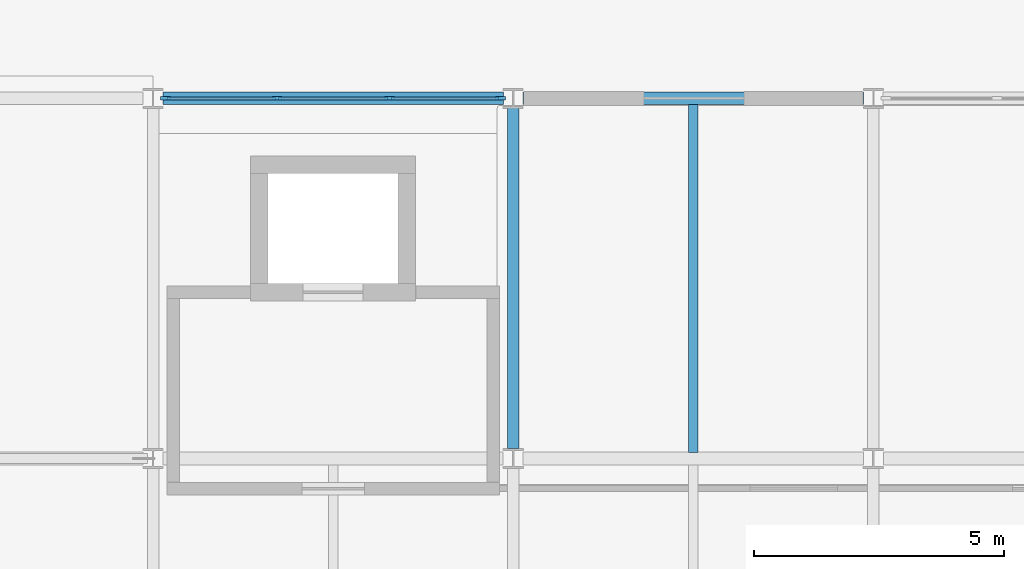
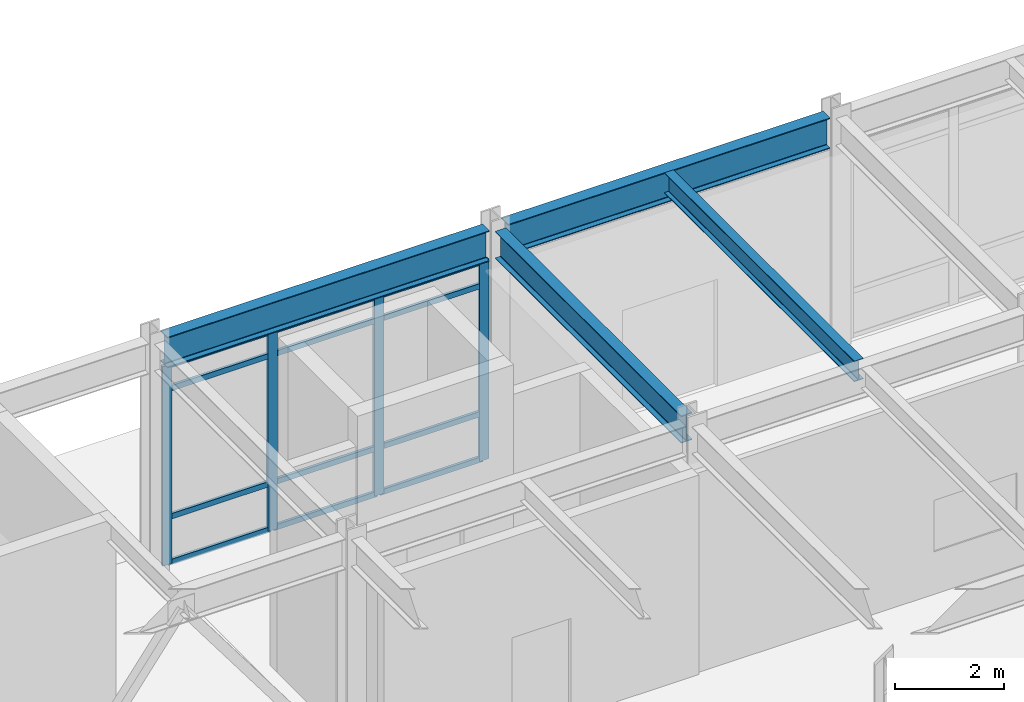
# One storey, part 32 of 104: 16 members, 4 beams, 1 element without a shape of its own.
"""IFC4 building model written with IfcOpenShell, lengths in metres."""

import ifcopenshell
import ifcopenshell.guid

model = None  # the IFC model being written
_history = None  # IfcOwnerHistory: only IFC2X3 demands one
_inside = {}  # id of a spatial element -> (the spatial element, [elements in it])
_under = {}  # id of a project, library or spatial element -> (it, [spatial elements below it])
_declared = {}  # id of a project -> (the project, [libraries it declares])
_typed = {}  # id of a type object -> (the type object, [elements of that type])
_made_of = {}  # id of a material, layer set ... -> (it, [elements and type objects made of it])


def new_model(schema):
    """Start an empty IFC model of exactly this schema.

    Asked for "IFC4X3", IfcOpenShell would pick the latest addendum, in which some entities
    have other attributes; the version numbers below select the first issue.
    IFC2X3 requires an IfcOwnerHistory on every rooted entity: one is made here for all.
    """
    global model, _history
    if schema == "IFC4X3":
        model = ifcopenshell.file(schema_version=(4, 3, 0, 0))
    else:
        model = ifcopenshell.file(schema=schema)
    _inside.clear()
    _under.clear()
    _declared.clear()
    _typed.clear()
    _made_of.clear()
    _history = None
    if model.schema == "IFC2X3":
        org = make("IfcOrganization", Name="unknown")
        user = make(
            "IfcPersonAndOrganization",
            ThePerson=make("IfcPerson", FamilyName="unknown"),
            TheOrganization=org,
        )
        app = make(
            "IfcApplication",
            ApplicationDeveloper=org,
            Version="unknown",
            ApplicationFullName="unknown",
            ApplicationIdentifier="unknown",
        )
        _history = make(
            "IfcOwnerHistory",
            OwningUser=user,
            OwningApplication=app,
            ChangeAction="ADDED",
            CreationDate=0,
        )
    return model


def make(cls, **values):
    """One entity of the class cls with the attributes given. An attribute that is None is left unset."""
    return model.create_entity(
        cls, **{name: value for name, value in values.items() if value is not None}
    )


def rooted(cls, **values):
    """An entity with a GlobalId (a new one), such as an element, a storey or a relation."""
    return make(cls, GlobalId=ifcopenshell.guid.new(), OwnerHistory=_history, **values)


def si_unit(unit_type, name, prefix=None):
    """IfcSIUnit, for example si_unit("LENGTHUNIT", "METRE", prefix="MILLI")."""
    return make("IfcSIUnit", UnitType=unit_type, Prefix=prefix, Name=name)


def assignment(units):
    """IfcUnitAssignment: the units of a project."""
    return None if units is None else make("IfcUnitAssignment", Units=units)


def point(xyz):
    """IfcCartesianPoint."""
    return None if xyz is None else make("IfcCartesianPoint", Coordinates=xyz)


def direction(xyz):
    """IfcDirection."""
    return None if xyz is None else make("IfcDirection", DirectionRatios=xyz)


def frame(location, z_axis=None, x_axis=None):
    """IfcAxis2Placement3D, a coordinate frame: its origin and axes. An axis left out is left unset."""
    return make(
        "IfcAxis2Placement3D",
        Location=point(location),
        Axis=direction(z_axis),
        RefDirection=direction(x_axis),
    )


def frame_2d(location, x_axis=None):
    """IfcAxis2Placement2D, a coordinate frame in the plane: its origin and x axis."""
    return make(
        "IfcAxis2Placement2D", Location=point(location), RefDirection=direction(x_axis)
    )


def origin():
    """The frame at (0, 0, 0) with its axes left unset."""
    return frame((0.0, 0.0, 0.0))


def origin_2d():
    """The frame at (0, 0) in the plane with its x axis left unset."""
    return frame_2d((0.0, 0.0))


def place(relative_to, where):
    """IfcLocalPlacement: puts the frame where relative to a parent placement (None: the world)."""
    return make(
        "IfcLocalPlacement", PlacementRelTo=relative_to, RelativePlacement=where
    )


def context(
    kind, dimensions, precision=None, world=None, true_north=None, identifier=None
):
    """IfcGeometricRepresentationContext, for example the 3D "Model" context."""
    return make(
        "IfcGeometricRepresentationContext",
        ContextIdentifier=identifier,
        ContextType=kind,
        CoordinateSpaceDimension=dimensions,
        Precision=precision,
        WorldCoordinateSystem=world,
        TrueNorth=true_north,
    )


def subcontext(parent, identifier, kind, view, scale=None):
    """IfcGeometricRepresentationSubContext, for example "Body" below "Model"."""
    return make(
        "IfcGeometricRepresentationSubContext",
        ContextIdentifier=identifier,
        ContextType=kind,
        ParentContext=parent,
        TargetScale=scale,
        TargetView=view,
    )


def project(units=None, contexts=None):
    """IfcProject with its units and contexts."""
    return rooted(
        "IfcProject",
        Name="project",
        RepresentationContexts=contexts,
        UnitsInContext=assignment(units),
    )


def spatial(cls, under=None, at=None, **own):
    """A site, building, storey or space (cls), placed at a placement, below another one or the project."""
    s = rooted(cls, ObjectPlacement=at, **own)
    if under is not None:
        _under.setdefault(under.id(), (under, []))[1].append(s)
    return s


def profile(cls, at=None, kind="AREA", **sizes):
    """A parametric profile (cls). Its sizes go by their IFC names, for example OverallWidth=200.0."""
    return make(cls, ProfileType=kind, Position=at, **sizes)


def rectangle(**sizes):
    """IfcRectangleProfileDef."""
    return profile("IfcRectangleProfileDef", **sizes)


def i_section(**sizes):
    """IfcIShapeProfileDef."""
    return profile("IfcIShapeProfileDef", **sizes)


def extrude(swept, where, along, depth):
    """IfcExtrudedAreaSolid: the profile swept, set in the frame where, extruded along a direction by depth."""
    return make(
        "IfcExtrudedAreaSolid",
        SweptArea=swept,
        Position=where,
        ExtrudedDirection=direction(along),
        Depth=depth,
    )


def shape(context_of_items, identifier, shape_type, items):
    """IfcShapeRepresentation: the items that make up one representation, for example the "Body"."""
    return make(
        "IfcShapeRepresentation",
        ContextOfItems=context_of_items,
        RepresentationIdentifier=identifier,
        RepresentationType=shape_type,
        Items=items,
    )


def material(Name=None, Category=None):
    """IfcMaterial."""
    return make("IfcMaterial", Name=Name, Category=Category)


def material_profile(
    of_material, cross_section, Name=None, Category=None, Priority=None
):
    """IfcMaterialProfile: a cross section and its material."""
    return make(
        "IfcMaterialProfile",
        Name=Name,
        Material=of_material,
        Profile=cross_section,
        Priority=Priority,
        Category=Category,
    )


def profile_set(profiles, Name=None, composite=None):
    """IfcMaterialProfileSet."""
    return make(
        "IfcMaterialProfileSet",
        Name=Name,
        MaterialProfiles=profiles,
        CompositeProfile=composite,
    )


def made_of(thing, what):
    """Note that an element or type object is made of a material, layer set ...; save() writes the relation."""
    if what is not None:
        _made_of.setdefault(what.id(), (what, []))[1].append(thing)
    return thing


def type_object(cls, material=None, **own):
    """A type object (cls), such as IfcWallType, which elements share."""
    return made_of(rooted(cls, **own), material)


def element(
    cls,
    number,
    at=None,
    inside=None,
    cuts=None,
    type_object=None,
    material=None,
    context=None,
    identifier="Body",
    shape_type=None,
    held_by="IfcProductDefinitionShape",
    body=None,
    shapes=None,
    **own,
):
    """One element of the class cls, such as IfcWall. Its Tag is "e" and its number.

    at: its placement. inside: the storey or other place that contains it. cuts: it is an
    opening in that element (IfcRelVoidsElement). A single representation is given by context,
    identifier, shape_type and body (its items); several are given by shapes. held_by: the class
    of the entity that holds the representations. save() writes the other relations.
    """
    e = rooted(cls, Tag="e%d" % number, ObjectPlacement=at, **own)
    if body is not None:
        shapes = [shape(context, identifier, shape_type, body)]
    if shapes is not None:
        e.Representation = make(held_by, Representations=shapes)
    if inside is not None:
        _inside.setdefault(inside.id(), (inside, []))[1].append(e)
    if cuts is not None:
        rooted(
            "IfcRelVoidsElement", RelatingBuildingElement=cuts, RelatedOpeningElement=e
        )
    if type_object is not None:
        _typed.setdefault(type_object.id(), (type_object, []))[1].append(e)
    return made_of(e, material)


def aggregate(whole, parts):
    """IfcRelAggregates: a whole, such as a stair, and the parts it consists of."""
    return rooted("IfcRelAggregates", RelatingObject=whole, RelatedObjects=parts)


def save(model, path):
    """Write the relations noted so far, then the file.

    IfcRelAggregates (storeys below a building ...), IfcRelContainedInSpatialStructure (elements
    in a storey), IfcRelDefinesByType, IfcRelAssociatesMaterial and IfcRelDeclares: one each for
    every whole, place, type object, material and project.
    """
    for whole, parts in _under.values():
        aggregate(whole, parts)
    for where, things in _inside.values():
        rooted(
            "IfcRelContainedInSpatialStructure",
            RelatedElements=things,
            RelatingStructure=where,
        )
    for kind, things in _typed.values():
        rooted("IfcRelDefinesByType", RelatedObjects=things, RelatingType=kind)
    for what, things in _made_of.values():
        rooted("IfcRelAssociatesMaterial", RelatedObjects=things, RelatingMaterial=what)
    for by, libraries in _declared.values():
        rooted("IfcRelDeclares", RelatingContext=by, RelatedDefinitions=libraries)
    model.write(path)


model = new_model("IFC4")

# Units and contexts
model_context = context("Model", 3, precision=1e-05, world=origin(), true_north=direction((0.0, 1.0)))
body_context = subcontext(model_context, "Body", "Model", "MODEL_VIEW")
ifc_project = project(units=[si_unit("LENGTHUNIT", "METRE"), si_unit("AREAUNIT", "SQUARE_METRE"), si_unit("VOLUMEUNIT", "CUBIC_METRE"), si_unit("PLANEANGLEUNIT", "RADIAN"), si_unit("MASSUNIT", "GRAM", prefix="KILO")], contexts=[model_context])

# Site, building, storey
site_placement = place(None, origin())
site = spatial("IfcSite", under=ifc_project, at=site_placement, CompositionType="ELEMENT")
building_placement = place(site_placement, origin())
building = spatial("IfcBuilding", under=site, at=building_placement, Name="Vaelcorin Mobility Hub", CompositionType="ELEMENT")
storey_placement = place(building_placement, origin())
storey = spatial("IfcBuildingStorey", under=building, at=storey_placement, Name="L00", CompositionType="ELEMENT", Elevation=0.0)

# Beams
ifc_material_1 = material(Name="Steel ASTM A992 Grade 50", Category="steel")
ifc_material_profile_1 = material_profile(ifc_material_1, i_section(OverallWidth=0.19091796875, OverallDepth=0.4599609375, WebThickness=0.010009765625, FlangeThickness=0.01611328125, FilletRadius=0.012939453125, at=origin_2d()), Name="W18X55")
ifc_profile_set_1 = profile_set([ifc_material_profile_1], Name="Steel ASTM A992 Grade 50")
beam_type_1 = type_object("IfcBeamType", Name="BM-W18X55", PredefinedType="JOIST", material=ifc_profile_set_1)
beam_1_placement = place(storey_placement, frame((68.39990234375, 112.925048828125, 4.929931640625), z_axis=(0.0, 1.0, 0.0), x_axis=(-1.0, 0.0, 0.0)))
element("IfcBeam", 1, at=beam_1_placement, inside=storey, type_object=beam_type_1, Name="L00 Beam V4-L00-J-05-06-1", PredefinedType="JOIST", context=body_context, shape_type="SweptSolid", body=[
    extrude(i_section(OverallWidth=0.19091796875, OverallDepth=0.4599609375, WebThickness=0.010009765625, FlangeThickness=0.01611328125, FilletRadius=0.012939453125, at=origin_2d()), origin(), (0.0, 0.0, 1.0), 6.949951171875),
])
ifc_material_profile_2 = material_profile(ifc_material_1, i_section(OverallWidth=0.22900390625, OverallDepth=0.612060546875, WebThickness=0.011962890625, FlangeThickness=0.01953125, FilletRadius=0.014892578125, at=origin_2d()), Name="W24X84")
ifc_profile_set_2 = profile_set([ifc_material_profile_2], Name="Steel ASTM A992 Grade 50")
beam_type_2 = type_object("IfcBeamType", Name="BM-W24X84", PredefinedType="BEAM", material=ifc_profile_set_2)
beam_2_placement = place(storey_placement, frame((64.800048828125, 113.0009765625, 4.85400390625), z_axis=(0.0, 1.0, 0.0), x_axis=(-1.0, 0.0, 0.0)))
element("IfcBeam", 2, at=beam_2_placement, inside=storey, type_object=beam_type_2, Name="L00 Beam V4-L00-GY-05-06", PredefinedType="BEAM", context=body_context, shape_type="SweptSolid", body=[
    extrude(i_section(OverallWidth=0.22900390625, OverallDepth=0.612060546875, WebThickness=0.011962890625, FlangeThickness=0.01953125, FilletRadius=0.014892578125, at=origin_2d()), origin(), (0.0, 0.0, 1.0), 6.803955078125),
])
ifc_material_profile_3 = material_profile(ifc_material_1, i_section(OverallWidth=0.25390625, OverallDepth=0.68310546875, WebThickness=0.012451171875, FlangeThickness=0.018798828125, FilletRadius=0.01611328125, at=origin_2d()), Name="W27X94")
ifc_profile_set_3 = profile_set([ifc_material_profile_3], Name="Steel ASTM A992 Grade 50")
beam_type_3 = type_object("IfcBeamType", Name="BM-W27X94", PredefinedType="BEAM", material=ifc_profile_set_3)
for number, where, z_axis, x_axis, name in (
    (3, (57.798095703125, 120.0, 4.818115234375), (1.0, 0.0, 0.0), (0.0, 1.0, 0.0), "L00 Beam V4-L00-GX-07-04"),
    (4, (64.998046875, 120.0, 4.818115234375), (1.0, 0.0, 0.0), (0.0, 1.0, 0.0), "L00 Beam V4-L00-GX-07-05"),
):
    element("IfcBeam", number, at=place(storey_placement, frame(where, z_axis=z_axis, x_axis=x_axis)), inside=storey, type_object=beam_type_3, Name=name, PredefinedType="BEAM", context=body_context, shape_type="SweptSolid", body=[
        extrude(i_section(OverallWidth=0.25390625, OverallDepth=0.68310546875, WebThickness=0.012451171875, FlangeThickness=0.018798828125, FilletRadius=0.01611328125, at=origin_2d()), origin(), (0.0, 0.0, 1.0), 6.803955078125),
    ])

# Curtain wall, members
ifc_material_2 = material(Name="Anodised aluminium 6063-T6", Category="aluminium")
curtain_wall_type = type_object("IfcCurtainWallType", Name="CW-MSC-B", PredefinedType="NOTDEFINED", material=ifc_material_2)
curtain_wall_placement = place(storey_placement, origin())
curtain_wall = element("IfcCurtainWall", 5, at=curtain_wall_placement, inside=storey, type_object=curtain_wall_type, Name="L00 Curtain Wall CW-V4-L00-N-04", PredefinedType="NOTDEFINED")
ifc_material_profile_4 = material_profile(ifc_material_2, rectangle(XDim=0.070068359375, YDim=0.199951171875, at=origin_2d()), Name="ALU-M70X200")
ifc_profile_set_4 = profile_set([ifc_material_profile_4], Name="Anodised aluminium 6063-T6")
member_type_1 = type_object("IfcMemberType", Name="CW-MULL-200", PredefinedType="MULLION", material=ifc_profile_set_4)
member_1_placement = place(storey_placement, frame((57.85009765625, 120.0, 0.0), z_axis=(0.0, 0.0, 1.0), x_axis=(0.0, 1.0, 0.0)))
member_1 = element("IfcMember", 6, at=member_1_placement, type_object=member_type_1, Name="CW4 mullion 1", PredefinedType="MULLION", context=body_context, shape_type="SweptSolid", body=[
    extrude(rectangle(XDim=0.070068359375, YDim=0.199951171875, at=origin_2d()), origin(), (0.0, 0.0, 1.0), 4.4619140625),
])
member_2_placement = place(storey_placement, frame((60.0732421875, 120.0, 0.0), z_axis=(0.0, 0.0, 1.0), x_axis=(0.0, 1.0, 0.0)))
member_2 = element("IfcMember", 7, at=member_2_placement, type_object=member_type_1, Name="CW4 mullion 2", PredefinedType="MULLION", context=body_context, shape_type="SweptSolid", body=[
    extrude(rectangle(XDim=0.070068359375, YDim=0.199951171875, at=origin_2d()), origin(), (0.0, 0.0, 1.0), 4.4619140625),
])
member_3_placement = place(storey_placement, frame((62.32666015625, 120.0, 0.0), z_axis=(0.0, 0.0, 1.0), x_axis=(0.0, 1.0, 0.0)))
member_3 = element("IfcMember", 8, at=member_3_placement, type_object=member_type_1, Name="CW4 mullion 3", PredefinedType="MULLION", context=body_context, shape_type="SweptSolid", body=[
    extrude(rectangle(XDim=0.070068359375, YDim=0.199951171875, at=origin_2d()), origin(), (0.0, 0.0, 1.0), 4.4619140625),
])
member_4_placement = place(storey_placement, frame((64.550048828125, 120.0, 0.0), z_axis=(0.0, 0.0, 1.0), x_axis=(0.0, 1.0, 0.0)))
member_4 = element("IfcMember", 9, at=member_4_placement, type_object=member_type_1, Name="CW4 mullion 4", PredefinedType="MULLION", context=body_context, shape_type="SweptSolid", body=[
    extrude(rectangle(XDim=0.070068359375, YDim=0.199951171875, at=origin_2d()), origin(), (0.0, 0.0, 1.0), 4.4619140625),
])
ifc_material_profile_5 = material_profile(ifc_material_2, rectangle(XDim=0.06005859375, YDim=0.1201171875, at=origin_2d()), Name="ALU-T60X120")
ifc_profile_set_5 = profile_set([ifc_material_profile_5], Name="Anodised aluminium 6063-T6")
member_type_2 = type_object("IfcMemberType", Name="CW-TRAN-140", PredefinedType="USERDEFINED", material=ifc_profile_set_5)
member_5_placement = place(storey_placement, frame((57.8798828125, 120.0, 0.030029296875), z_axis=(1.0, 0.0, 0.0), x_axis=(0.0, 1.0, 0.0)))
member_5 = element("IfcMember", 10, at=member_5_placement, type_object=member_type_2, Name="CW4 transom 1.1", ObjectType="TRANSOM", PredefinedType="USERDEFINED", context=body_context, shape_type="SweptSolid", body=[
    extrude(rectangle(XDim=0.06005859375, YDim=0.1201171875, at=origin_2d()), origin(), (0.0, 0.0, 1.0), 2.163330078125),
])
member_6_placement = place(storey_placement, frame((57.8798828125, 120.0, 1.050048828125), z_axis=(1.0, 0.0, 0.0), x_axis=(0.0, 1.0, 0.0)))
member_6 = element("IfcMember", 11, at=member_6_placement, type_object=member_type_2, Name="CW4 transom 1.2", ObjectType="TRANSOM", PredefinedType="USERDEFINED", context=body_context, shape_type="SweptSolid", body=[
    extrude(rectangle(XDim=0.06005859375, YDim=0.1201171875, at=origin_2d()), origin(), (0.0, 0.0, 1.0), 2.163330078125),
])
member_7_placement = place(storey_placement, frame((57.8798828125, 120.0, 3.912109375), z_axis=(1.0, 0.0, 0.0), x_axis=(0.0, 1.0, 0.0)))
member_7 = element("IfcMember", 12, at=member_7_placement, type_object=member_type_2, Name="CW4 transom 1.3", ObjectType="TRANSOM", PredefinedType="USERDEFINED", context=body_context, shape_type="SweptSolid", body=[
    extrude(rectangle(XDim=0.06005859375, YDim=0.1201171875, at=origin_2d()), origin(), (0.0, 0.0, 1.0), 2.163330078125),
])
member_8_placement = place(storey_placement, frame((57.8798828125, 120.0, 4.431884765625), z_axis=(1.0, 0.0, 0.0), x_axis=(0.0, 1.0, 0.0)))
member_8 = element("IfcMember", 13, at=member_8_placement, type_object=member_type_2, Name="CW4 transom 1.4", ObjectType="TRANSOM", PredefinedType="USERDEFINED", context=body_context, shape_type="SweptSolid", body=[
    extrude(rectangle(XDim=0.06005859375, YDim=0.1201171875, at=origin_2d()), origin(), (0.0, 0.0, 1.0), 2.163330078125),
])
member_9_placement = place(storey_placement, frame((60.103271484375, 120.0, 0.030029296875), z_axis=(1.0, 0.0, 0.0), x_axis=(0.0, 1.0, 0.0)))
member_9 = element("IfcMember", 14, at=member_9_placement, type_object=member_type_2, Name="CW4 transom 2.1", ObjectType="TRANSOM", PredefinedType="USERDEFINED", context=body_context, shape_type="SweptSolid", body=[
    extrude(rectangle(XDim=0.06005859375, YDim=0.1201171875, at=origin_2d()), origin(), (0.0, 0.0, 1.0), 2.193359375),
])
member_10_placement = place(storey_placement, frame((60.103271484375, 120.0, 1.050048828125), z_axis=(1.0, 0.0, 0.0), x_axis=(0.0, 1.0, 0.0)))
member_10 = element("IfcMember", 15, at=member_10_placement, type_object=member_type_2, Name="CW4 transom 2.2", ObjectType="TRANSOM", PredefinedType="USERDEFINED", context=body_context, shape_type="SweptSolid", body=[
    extrude(rectangle(XDim=0.06005859375, YDim=0.1201171875, at=origin_2d()), origin(), (0.0, 0.0, 1.0), 2.193359375),
])
member_11_placement = place(storey_placement, frame((60.103271484375, 120.0, 3.912109375), z_axis=(1.0, 0.0, 0.0), x_axis=(0.0, 1.0, 0.0)))
member_11 = element("IfcMember", 16, at=member_11_placement, type_object=member_type_2, Name="CW4 transom 2.3", ObjectType="TRANSOM", PredefinedType="USERDEFINED", context=body_context, shape_type="SweptSolid", body=[
    extrude(rectangle(XDim=0.06005859375, YDim=0.1201171875, at=origin_2d()), origin(), (0.0, 0.0, 1.0), 2.193359375),
])
member_12_placement = place(storey_placement, frame((60.103271484375, 120.0, 4.431884765625), z_axis=(1.0, 0.0, 0.0), x_axis=(0.0, 1.0, 0.0)))
member_12 = element("IfcMember", 17, at=member_12_placement, type_object=member_type_2, Name="CW4 transom 2.4", ObjectType="TRANSOM", PredefinedType="USERDEFINED", context=body_context, shape_type="SweptSolid", body=[
    extrude(rectangle(XDim=0.06005859375, YDim=0.1201171875, at=origin_2d()), origin(), (0.0, 0.0, 1.0), 2.193359375),
])
member_13_placement = place(storey_placement, frame((62.356689453125, 120.0, 0.030029296875), z_axis=(1.0, 0.0, 0.0), x_axis=(0.0, 1.0, 0.0)))
member_13 = element("IfcMember", 18, at=member_13_placement, type_object=member_type_2, Name="CW4 transom 3.1", ObjectType="TRANSOM", PredefinedType="USERDEFINED", context=body_context, shape_type="SweptSolid", body=[
    extrude(rectangle(XDim=0.06005859375, YDim=0.1201171875, at=origin_2d()), origin(), (0.0, 0.0, 1.0), 2.163330078125),
])
member_14_placement = place(storey_placement, frame((62.356689453125, 120.0, 1.050048828125), z_axis=(1.0, 0.0, 0.0), x_axis=(0.0, 1.0, 0.0)))
member_14 = element("IfcMember", 19, at=member_14_placement, type_object=member_type_2, Name="CW4 transom 3.2", ObjectType="TRANSOM", PredefinedType="USERDEFINED", context=body_context, shape_type="SweptSolid", body=[
    extrude(rectangle(XDim=0.06005859375, YDim=0.1201171875, at=origin_2d()), origin(), (0.0, 0.0, 1.0), 2.163330078125),
])
member_15_placement = place(storey_placement, frame((62.356689453125, 120.0, 3.912109375), z_axis=(1.0, 0.0, 0.0), x_axis=(0.0, 1.0, 0.0)))
member_15 = element("IfcMember", 20, at=member_15_placement, type_object=member_type_2, Name="CW4 transom 3.3", ObjectType="TRANSOM", PredefinedType="USERDEFINED", context=body_context, shape_type="SweptSolid", body=[
    extrude(rectangle(XDim=0.06005859375, YDim=0.1201171875, at=origin_2d()), origin(), (0.0, 0.0, 1.0), 2.163330078125),
])
member_16_placement = place(storey_placement, frame((62.356689453125, 120.0, 4.431884765625), z_axis=(1.0, 0.0, 0.0), x_axis=(0.0, 1.0, 0.0)))
member_16 = element("IfcMember", 21, at=member_16_placement, type_object=member_type_2, Name="CW4 transom 3.4", ObjectType="TRANSOM", PredefinedType="USERDEFINED", context=body_context, shape_type="SweptSolid", body=[
    extrude(rectangle(XDim=0.06005859375, YDim=0.1201171875, at=origin_2d()), origin(), (0.0, 0.0, 1.0), 2.163330078125),
])
aggregate(curtain_wall, [member_1, member_2, member_3, member_4, member_5, member_6, member_7, member_8, member_9, member_10, member_11, member_12, member_13, member_14, member_15, member_16])

save(model, "model.ifc")
